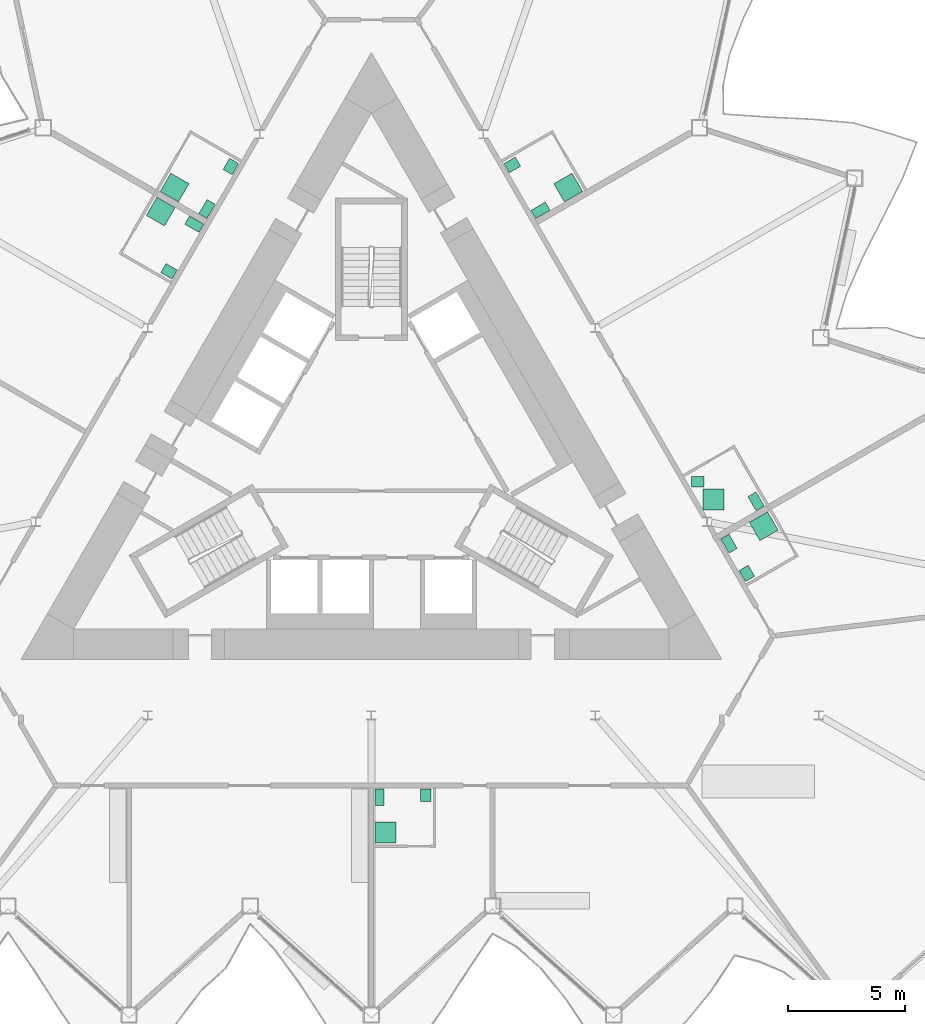
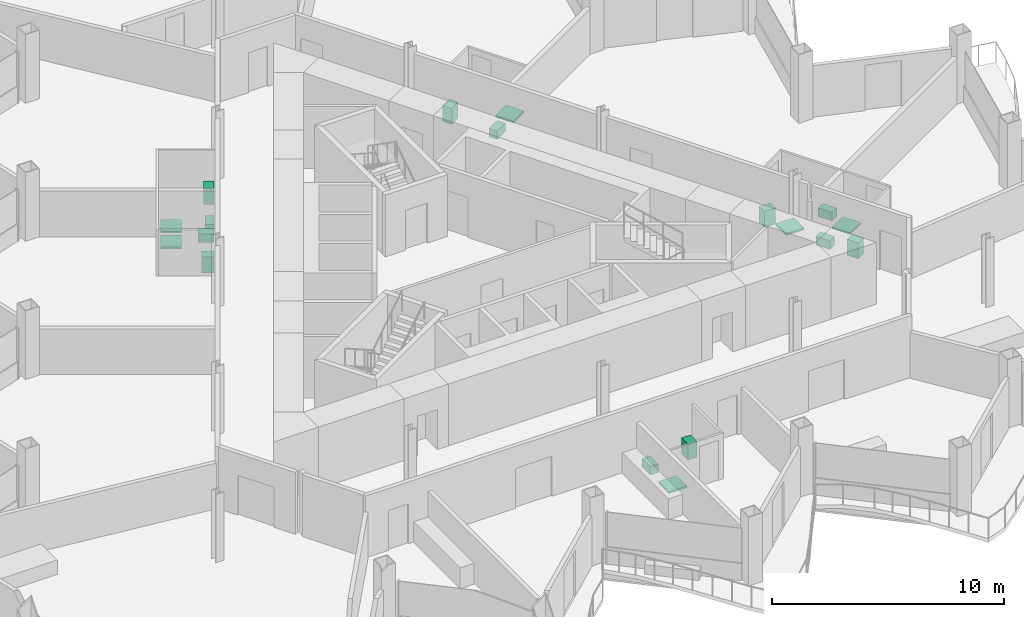
# One storey, part 23 of 24: 18 sanitary terminals.
"""IFC4 building model written with IfcOpenShell, lengths in metres."""

from ifc_helpers import new_model, si_unit, direction, frame, origin, origin_2d, place, context, subcontext, project, spatial, rectangle, extrude, material, type_object, element, save


model = new_model("IFC4")

# Units and contexts
model_context = context("Model", 3, precision=1e-05, world=origin(), true_north=direction((0.0, 1.0)))
body_context = subcontext(model_context, "Body", "Model", "MODEL_VIEW")
ifc_project = project(units=[si_unit("LENGTHUNIT", "METRE"), si_unit("AREAUNIT", "SQUARE_METRE"), si_unit("VOLUMEUNIT", "CUBIC_METRE"), si_unit("PLANEANGLEUNIT", "RADIAN"), si_unit("MASSUNIT", "GRAM", prefix="KILO")], contexts=[model_context])

# Site, building, storey
site_placement = place(None, origin())
site = spatial("IfcSite", under=ifc_project, at=site_placement, CompositionType="ELEMENT")
building_placement = place(site_placement, origin())
building = spatial("IfcBuilding", under=site, at=building_placement, Name="Cormorant Prow Tower", CompositionType="ELEMENT")
storey_placement = place(building_placement, frame((0.0, 0.0, 274.199951171875)))
storey = spatial("IfcBuildingStorey", under=building, at=storey_placement, Name="L62", CompositionType="ELEMENT", Elevation=274.199951171875)

# Sanitary terminals
ifc_material_1 = material(Name="Vitreous china")
sanitary_terminal_type_1 = type_object("IfcSanitaryTerminalType", Name="Shower tray 900x900", PredefinedType="SHOWER", material=ifc_material_1)
for number, where, z_axis, x_axis, name in (
    (1, (0.594970703125, -16.065185546875, 0.0), (0.0, 0.0, 1.0), (0.0, 1.0, 0.0), "Shower tray"),
    (2, (16.797607421875, -2.963623046875, 0.0), (0.0, 0.0, 1.0), (0.5, -0.866025403784, 0.0), "Shower tray"),
    (3, (14.643310546875, -1.821044921875, 0.0), (0.0, 0.0, 1.0), (1.0, 0.0, 0.0), "Shower tray"),
    (4, (8.4248046875, 11.538330078125, 0.0), (0.0, 0.0, 1.0), (-0.866025403784, -0.5, 0.0), "Shower tray"),
    (5, (-8.4248046875, 11.538330078125, 0.0), (0.0, 0.0, 1.0), (0.5, 0.866025403784, 0.0), "Shower tray"),
    (6, (-9.019775390625, 10.5078125, 0.0), (0.0, 0.0, 1.0), (0.866025403784, -0.5, 0.0), "Shower tray"),
):
    element("IfcSanitaryTerminal", number, at=place(storey_placement, frame(where, z_axis=z_axis, x_axis=x_axis)), inside=storey, type_object=sanitary_terminal_type_1, Name=name, PredefinedType="SHOWER", context=body_context, shape_type="SweptSolid", body=[
        extrude(rectangle(XDim=0.89990234375, YDim=0.89990234375, at=origin_2d()), origin(), (0.0, 0.0, 1.0), 0.10009765625),
    ])
ifc_material_2 = material(Name="Vitreous china")
sanitary_terminal_type_2 = type_object("IfcSanitaryTerminalType", Name="Wash basin 550x450", PredefinedType="WASHHANDBASIN", material=ifc_material_2)
for number, where, z_axis, x_axis, name in (
    (7, (2.330078125, -14.480224609375, 0.0), (0.0, 0.0, 1.0), (0.0, -1.0, 0.0), "Wash basin"),
    (8, (16.07421875, -4.980712890625, 0.0), (0.0, 0.0, 1.0), (-0.5, 0.866025403784, 0.0), "Wash basin"),
    (9, (13.968505859375, -1.046142578125, 0.0), (0.0, 0.0, 1.0), (1.0, 0.0, 0.0), "Wash basin"),
    (10, (6.03466796875, 12.50830078125, 0.0), (0.0, 0.0, 1.0), (0.866025403784, 0.5, 0.0), "Wash basin"),
    (11, (-6.016357421875, 12.43994140625, 0.0), (0.0, 0.0, 1.0), (-0.5, -0.866025403784, 0.0), "Wash basin"),
    (12, (-8.66455078125, 7.952880859375, 0.0), (0.0, 0.0, 1.0), (-0.866025403784, 0.5, 0.0), "Wash basin"),
):
    element("IfcSanitaryTerminal", number, at=place(storey_placement, frame(where, z_axis=z_axis, x_axis=x_axis)), inside=storey, type_object=sanitary_terminal_type_2, Name=name, PredefinedType="WASHHANDBASIN", context=body_context, shape_type="SweptSolid", body=[
        extrude(rectangle(XDim=0.550048828125, YDim=0.449951171875, at=origin_2d()), origin(), (0.0, 0.0, 1.0), 0.85009765625),
    ])
ifc_material_3 = material(Name="Vitreous china")
sanitary_terminal_type_3 = type_object("IfcSanitaryTerminalType", Name="Water closet 400x700", PredefinedType="WCSEAT", material=ifc_material_3)
for number, where, z_axis, x_axis, name in (
    (13, (0.344970703125, -14.555419921875, 0.0), (0.0, 0.0, 1.0), (1.0, 0.0, 0.0), "Water closet"),
    (14, (15.31005859375, -3.70703125, 0.0), (0.0, 0.0, 1.0), (0.866025403784, 0.5, 0.0), "Water closet"),
    (15, (16.468994140625, -1.894775390625, 0.0), (0.0, 0.0, 1.0), (-0.866025403784, -0.5, 0.0), "Water closet"),
    (16, (7.241943359375, 10.56689453125, 0.0), (0.0, 0.0, 1.0), (-0.5, 0.866025403784, 0.0), "Water closet"),
    (17, (-7.037109375, 10.621826171875, 0.0), (0.0, 0.0, 1.0), (-0.866025403784, 0.5, 0.0), "Water closet"),
    (18, (-7.5869140625, 9.969482421875, 0.0), (0.0, 0.0, 1.0), (-0.5, -0.866025403784, 0.0), "Water closet"),
):
    element("IfcSanitaryTerminal", number, at=place(storey_placement, frame(where, z_axis=z_axis, x_axis=x_axis)), inside=storey, type_object=sanitary_terminal_type_3, Name=name, PredefinedType="WCSEAT", context=body_context, shape_type="SweptSolid", body=[
        extrude(rectangle(XDim=0.39990234375, YDim=0.699951171875, at=origin_2d()), origin(), (0.0, 0.0, 1.0), 0.449951171875),
    ])

save(model, "model.ifc")
